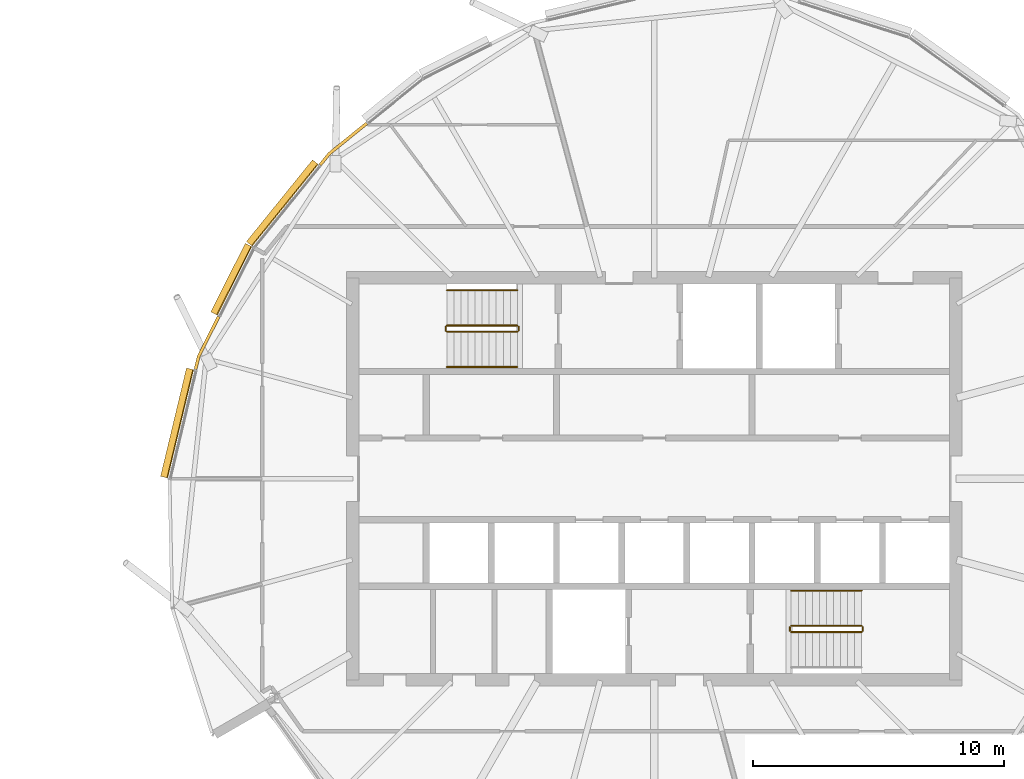
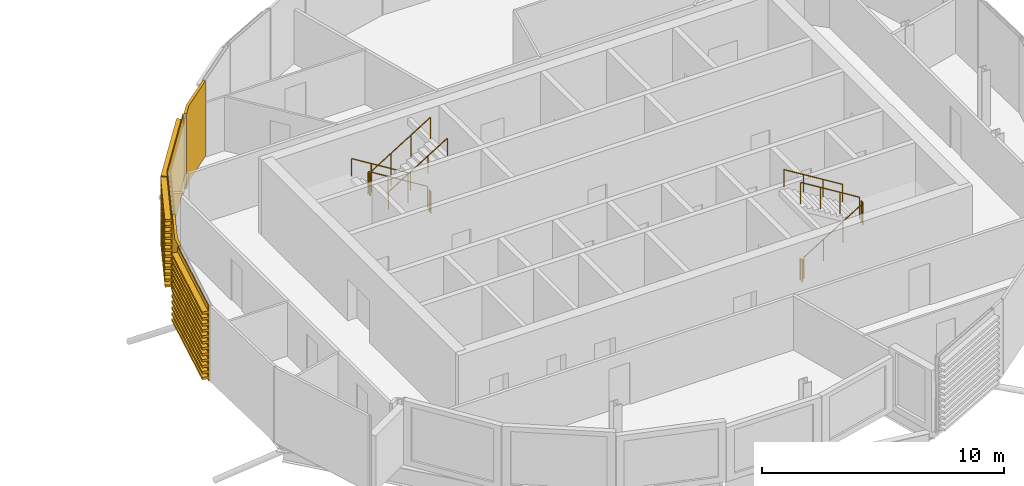
# One storey, part 32 of 33: 11 railings, 5 coverings.
"""IFC4 building model written with IfcOpenShell, lengths in metres."""

import ifcopenshell
import ifcopenshell.guid

model = None  # the IFC model being written
_history = None  # IfcOwnerHistory: only IFC2X3 demands one
_inside = {}  # id of a spatial element -> (the spatial element, [elements in it])
_under = {}  # id of a project, library or spatial element -> (it, [spatial elements below it])
_declared = {}  # id of a project -> (the project, [libraries it declares])
_typed = {}  # id of a type object -> (the type object, [elements of that type])
_made_of = {}  # id of a material, layer set ... -> (it, [elements and type objects made of it])


def new_model(schema):
    """Start an empty IFC model of exactly this schema.

    Asked for "IFC4X3", IfcOpenShell would pick the latest addendum, in which some entities
    have other attributes; the version numbers below select the first issue.
    IFC2X3 requires an IfcOwnerHistory on every rooted entity: one is made here for all.
    """
    global model, _history
    if schema == "IFC4X3":
        model = ifcopenshell.file(schema_version=(4, 3, 0, 0))
    else:
        model = ifcopenshell.file(schema=schema)
    _inside.clear()
    _under.clear()
    _declared.clear()
    _typed.clear()
    _made_of.clear()
    _history = None
    if model.schema == "IFC2X3":
        org = make("IfcOrganization", Name="unknown")
        user = make(
            "IfcPersonAndOrganization",
            ThePerson=make("IfcPerson", FamilyName="unknown"),
            TheOrganization=org,
        )
        app = make(
            "IfcApplication",
            ApplicationDeveloper=org,
            Version="unknown",
            ApplicationFullName="unknown",
            ApplicationIdentifier="unknown",
        )
        _history = make(
            "IfcOwnerHistory",
            OwningUser=user,
            OwningApplication=app,
            ChangeAction="ADDED",
            CreationDate=0,
        )
    return model


def make(cls, **values):
    """One entity of the class cls with the attributes given. An attribute that is None is left unset."""
    return model.create_entity(
        cls, **{name: value for name, value in values.items() if value is not None}
    )


def rooted(cls, **values):
    """An entity with a GlobalId (a new one), such as an element, a storey or a relation."""
    return make(cls, GlobalId=ifcopenshell.guid.new(), OwnerHistory=_history, **values)


def si_unit(unit_type, name, prefix=None):
    """IfcSIUnit, for example si_unit("LENGTHUNIT", "METRE", prefix="MILLI")."""
    return make("IfcSIUnit", UnitType=unit_type, Prefix=prefix, Name=name)


def assignment(units):
    """IfcUnitAssignment: the units of a project."""
    return None if units is None else make("IfcUnitAssignment", Units=units)


def point(xyz):
    """IfcCartesianPoint."""
    return None if xyz is None else make("IfcCartesianPoint", Coordinates=xyz)


def direction(xyz):
    """IfcDirection."""
    return None if xyz is None else make("IfcDirection", DirectionRatios=xyz)


def frame(location, z_axis=None, x_axis=None):
    """IfcAxis2Placement3D, a coordinate frame: its origin and axes. An axis left out is left unset."""
    return make(
        "IfcAxis2Placement3D",
        Location=point(location),
        Axis=direction(z_axis),
        RefDirection=direction(x_axis),
    )


def frame_2d(location, x_axis=None):
    """IfcAxis2Placement2D, a coordinate frame in the plane: its origin and x axis."""
    return make(
        "IfcAxis2Placement2D", Location=point(location), RefDirection=direction(x_axis)
    )


def origin():
    """The frame at (0, 0, 0) with its axes left unset."""
    return frame((0.0, 0.0, 0.0))


def origin_2d():
    """The frame at (0, 0) in the plane with its x axis left unset."""
    return frame_2d((0.0, 0.0))


def place(relative_to, where):
    """IfcLocalPlacement: puts the frame where relative to a parent placement (None: the world)."""
    return make(
        "IfcLocalPlacement", PlacementRelTo=relative_to, RelativePlacement=where
    )


def context(
    kind, dimensions, precision=None, world=None, true_north=None, identifier=None
):
    """IfcGeometricRepresentationContext, for example the 3D "Model" context."""
    return make(
        "IfcGeometricRepresentationContext",
        ContextIdentifier=identifier,
        ContextType=kind,
        CoordinateSpaceDimension=dimensions,
        Precision=precision,
        WorldCoordinateSystem=world,
        TrueNorth=true_north,
    )


def subcontext(parent, identifier, kind, view, scale=None):
    """IfcGeometricRepresentationSubContext, for example "Body" below "Model"."""
    return make(
        "IfcGeometricRepresentationSubContext",
        ContextIdentifier=identifier,
        ContextType=kind,
        ParentContext=parent,
        TargetScale=scale,
        TargetView=view,
    )


def project(units=None, contexts=None):
    """IfcProject with its units and contexts."""
    return rooted(
        "IfcProject",
        Name="project",
        RepresentationContexts=contexts,
        UnitsInContext=assignment(units),
    )


def spatial(cls, under=None, at=None, **own):
    """A site, building, storey or space (cls), placed at a placement, below another one or the project."""
    s = rooted(cls, ObjectPlacement=at, **own)
    if under is not None:
        _under.setdefault(under.id(), (under, []))[1].append(s)
    return s


def polyline(points):
    """IfcPolyline through the points."""
    return make("IfcPolyline", Points=[point(p) for p in points])


def profile(cls, at=None, kind="AREA", **sizes):
    """A parametric profile (cls). Its sizes go by their IFC names, for example OverallWidth=200.0."""
    return make(cls, ProfileType=kind, Position=at, **sizes)


def circle(**sizes):
    """IfcCircleProfileDef."""
    return profile("IfcCircleProfileDef", **sizes)


def outline(outer, holes=None, kind="AREA"):
    """IfcArbitraryClosedProfileDef: a profile drawn as a closed curve; with holes, ...WithVoids."""
    if holes is None:
        return make("IfcArbitraryClosedProfileDef", ProfileType=kind, OuterCurve=outer)
    return make(
        "IfcArbitraryProfileDefWithVoids",
        ProfileType=kind,
        OuterCurve=outer,
        InnerCurves=holes,
    )


def extrude(swept, where, along, depth):
    """IfcExtrudedAreaSolid: the profile swept, set in the frame where, extruded along a direction by depth."""
    return make(
        "IfcExtrudedAreaSolid",
        SweptArea=swept,
        Position=where,
        ExtrudedDirection=direction(along),
        Depth=depth,
    )


def shape(context_of_items, identifier, shape_type, items):
    """IfcShapeRepresentation: the items that make up one representation, for example the "Body"."""
    return make(
        "IfcShapeRepresentation",
        ContextOfItems=context_of_items,
        RepresentationIdentifier=identifier,
        RepresentationType=shape_type,
        Items=items,
    )


def material(Name=None, Category=None):
    """IfcMaterial."""
    return make("IfcMaterial", Name=Name, Category=Category)


def layer(
    of_material, thickness, ventilated=None, Name=None, Category=None, Priority=None
):
    """IfcMaterialLayer: one layer of a wall or slab, of a material (None: an air gap)."""
    return make(
        "IfcMaterialLayer",
        Material=of_material,
        LayerThickness=thickness,
        IsVentilated=ventilated,
        Name=Name,
        Category=Category,
        Priority=Priority,
    )


def layer_set(layers, Name=None):
    """IfcMaterialLayerSet."""
    return make("IfcMaterialLayerSet", MaterialLayers=layers, LayerSetName=Name)


def material_profile(
    of_material, cross_section, Name=None, Category=None, Priority=None
):
    """IfcMaterialProfile: a cross section and its material."""
    return make(
        "IfcMaterialProfile",
        Name=Name,
        Material=of_material,
        Profile=cross_section,
        Priority=Priority,
        Category=Category,
    )


def profile_set(profiles, Name=None, composite=None):
    """IfcMaterialProfileSet."""
    return make(
        "IfcMaterialProfileSet",
        Name=Name,
        MaterialProfiles=profiles,
        CompositeProfile=composite,
    )


def made_of(thing, what):
    """Note that an element or type object is made of a material, layer set ...; save() writes the relation."""
    if what is not None:
        _made_of.setdefault(what.id(), (what, []))[1].append(thing)
    return thing


def type_object(cls, material=None, **own):
    """A type object (cls), such as IfcWallType, which elements share."""
    return made_of(rooted(cls, **own), material)


def element(
    cls,
    number,
    at=None,
    inside=None,
    cuts=None,
    type_object=None,
    material=None,
    context=None,
    identifier="Body",
    shape_type=None,
    held_by="IfcProductDefinitionShape",
    body=None,
    shapes=None,
    **own,
):
    """One element of the class cls, such as IfcWall. Its Tag is "e" and its number.

    at: its placement. inside: the storey or other place that contains it. cuts: it is an
    opening in that element (IfcRelVoidsElement). A single representation is given by context,
    identifier, shape_type and body (its items); several are given by shapes. held_by: the class
    of the entity that holds the representations. save() writes the other relations.
    """
    e = rooted(cls, Tag="e%d" % number, ObjectPlacement=at, **own)
    if body is not None:
        shapes = [shape(context, identifier, shape_type, body)]
    if shapes is not None:
        e.Representation = make(held_by, Representations=shapes)
    if inside is not None:
        _inside.setdefault(inside.id(), (inside, []))[1].append(e)
    if cuts is not None:
        rooted(
            "IfcRelVoidsElement", RelatingBuildingElement=cuts, RelatedOpeningElement=e
        )
    if type_object is not None:
        _typed.setdefault(type_object.id(), (type_object, []))[1].append(e)
    return made_of(e, material)


def aggregate(whole, parts):
    """IfcRelAggregates: a whole, such as a stair, and the parts it consists of."""
    return rooted("IfcRelAggregates", RelatingObject=whole, RelatedObjects=parts)


def save(model, path):
    """Write the relations noted so far, then the file.

    IfcRelAggregates (storeys below a building ...), IfcRelContainedInSpatialStructure (elements
    in a storey), IfcRelDefinesByType, IfcRelAssociatesMaterial and IfcRelDeclares: one each for
    every whole, place, type object, material and project.
    """
    for whole, parts in _under.values():
        aggregate(whole, parts)
    for where, things in _inside.values():
        rooted(
            "IfcRelContainedInSpatialStructure",
            RelatedElements=things,
            RelatingStructure=where,
        )
    for kind, things in _typed.values():
        rooted("IfcRelDefinesByType", RelatedObjects=things, RelatingType=kind)
    for what, things in _made_of.values():
        rooted("IfcRelAssociatesMaterial", RelatedObjects=things, RelatingMaterial=what)
    for by, libraries in _declared.values():
        rooted("IfcRelDeclares", RelatingContext=by, RelatedDefinitions=libraries)
    model.write(path)


model = new_model("IFC4")

# Units and contexts
model_context = context("Model", 3, precision=1e-05, world=origin(), true_north=direction((0.0, 1.0)))
body_context = subcontext(model_context, "Body", "Model", "MODEL_VIEW")
ifc_project = project(units=[si_unit("LENGTHUNIT", "METRE"), si_unit("AREAUNIT", "SQUARE_METRE"), si_unit("VOLUMEUNIT", "CUBIC_METRE"), si_unit("PLANEANGLEUNIT", "RADIAN"), si_unit("MASSUNIT", "GRAM", prefix="KILO")], contexts=[model_context])

# Site, building, storey
site_placement = place(None, origin())
site = spatial("IfcSite", under=ifc_project, at=site_placement, CompositionType="ELEMENT")
building_placement = place(site_placement, origin())
building = spatial("IfcBuilding", under=site, at=building_placement, Name="Rimbun Link Towers", CompositionType="ELEMENT")
storey_placement = place(building_placement, frame((0.0, 0.0, 240.89990234375)))
storey = spatial("IfcBuildingStorey", under=building, at=storey_placement, Name="L59", CompositionType="ELEMENT", Elevation=240.89990234375)

# Coverings
ifc_material_1 = material(Name="Terracotta", Category="masonry")
ifc_layer = layer(ifc_material_1, 0.1201171875)
ifc_layer_set = layer_set([ifc_layer], Name="LINK PIER terracotta cladding 120")
covering_type_1 = type_object("IfcCoveringType", Name="LINK PIER terracotta cladding 120", PredefinedType="CLADDING", material=ifc_layer_set)
covering_1_placement = place(storey_placement, origin())
element("IfcCovering", 1, at=covering_1_placement, inside=storey, type_object=covering_type_1, Name="LINK PIER cladding", PredefinedType="CLADDING", context=body_context, shape_type="SweptSolid", body=[
    extrude(outline(polyline([(18.49609375, 12.452392578125), (18.8544921875, 12.8955078125), (20.346923828125, 14.103271484375), (20.271484375, 14.196533203125), (18.769287109375, 12.980712890625), (18.40283203125, 12.52783203125), (18.49609375, 12.452392578125)])), origin(), (0.0, 0.0, 1.0), 3.800048828125),
])
covering_2_placement = place(storey_placement, origin())
element("IfcCovering", 2, at=covering_2_placement, inside=storey, type_object=covering_type_1, Name="LINK PIER cladding", PredefinedType="CLADDING", context=body_context, shape_type="SweptSolid", body=[
    extrude(outline(polyline([(13.54931640625, 4.338623046875), (13.67041015625, 4.844482421875), (14.464599609375, 6.42626953125), (14.357421875, 6.47998046875), (13.556884765625, 4.8857421875), (13.4326171875, 4.366455078125), (13.54931640625, 4.338623046875)])), origin(), (0.0, 0.0, 1.0), 3.800048828125),
])

# Railings
ifc_material_2 = material(Name="Stainless steel grade 316", Category="steel")
railing_type_1 = type_object("IfcRailingType", Name="Stair guard", PredefinedType="GUARDRAIL", material=ifc_material_2)
railing_1_placement = place(storey_placement, frame((26.300048828125, 6.10009765625, 0.1728515625)))
element("IfcRailing", 3, at=railing_1_placement, inside=storey, type_object=railing_type_1, Name="L59 ST3 stair guard 1", PredefinedType="GUARDRAIL", context=body_context, shape_type="SweptSolid", body=[
    extrude(circle(Radius=0.02392578125, at=origin_2d()), frame((0.0, 0.0, 1.076171875), z_axis=(-0.851089632645, 0.0, 0.525020415988), x_axis=(0.0, -1.0, 0.0)), (0.0, 0.0, 1.0), 3.2900390625),
    extrude(circle(Radius=0.02099609375, at=origin_2d()), origin(), (0.0, 0.0, 1.0), 1.052001953125),
    extrude(circle(Radius=0.02099609375, at=origin_2d()), frame((-0.933349609375, 0.0, 0.57568359375)), (0.0, 0.0, 1.0), 1.052001953125),
    extrude(circle(Radius=0.02099609375, at=origin_2d()), frame((-1.86669921875, 0.0, 1.151611328125)), (0.0, 0.0, 1.0), 1.052001953125),
    extrude(circle(Radius=0.02099609375, at=origin_2d()), frame((-2.800048828125, 0.0, 1.727294921875)), (0.0, 0.0, 1.0), 1.052001953125),
])
railing_2_placement = place(storey_placement, frame((23.449951171875, 6.050048828125, 1.900146484375)))
element("IfcRailing", 4, at=railing_2_placement, inside=storey, type_object=railing_type_1, Name="L59 ST3 stair guard 2", PredefinedType="GUARDRAIL", context=body_context, shape_type="SweptSolid", body=[
    extrude(circle(Radius=0.02392578125, at=origin_2d()), frame((0.0, 0.0, 1.076171875), z_axis=(0.0, -1.0, 0.0), x_axis=(1.0, 0.0, 0.0)), (0.0, 0.0, 1.0), 0.150146484375),
    extrude(circle(Radius=0.02099609375, at=origin_2d()), origin(), (0.0, 0.0, 1.0), 1.052001953125),
    extrude(circle(Radius=0.02099609375, at=origin_2d()), frame((0.0, -0.150146484375, 0.0)), (0.0, 0.0, 1.0), 1.052001953125),
])
railing_3_placement = place(storey_placement, frame((23.5, 5.85009765625, 2.07275390625)))
element("IfcRailing", 5, at=railing_3_placement, inside=storey, type_object=railing_type_1, Name="L59 ST3 stair guard 3", PredefinedType="GUARDRAIL", context=body_context, shape_type="SweptSolid", body=[
    extrude(circle(Radius=0.02392578125, at=origin_2d()), frame((0.0, 0.0, 1.076171875), z_axis=(0.851089632645, 0.0, 0.525020415988), x_axis=(0.0, 1.0, 0.0)), (0.0, 0.0, 1.0), 3.2900390625),
    extrude(circle(Radius=0.02099609375, at=origin_2d()), origin(), (0.0, 0.0, 1.0), 1.052001953125),
    extrude(circle(Radius=0.02099609375, at=origin_2d()), frame((0.933349609375, 0.0, 0.57568359375)), (0.0, 0.0, 1.0), 1.052001953125),
    extrude(circle(Radius=0.02099609375, at=origin_2d()), frame((1.86669921875, 0.0, 1.151611328125)), (0.0, 0.0, 1.0), 1.052001953125),
    extrude(circle(Radius=0.02099609375, at=origin_2d()), frame((2.800048828125, 0.0, 1.727294921875)), (0.0, 0.0, 1.0), 1.052001953125),
])
railing_4_placement = place(storey_placement, frame((26.35009765625, 6.050048828125, 0.0)))
element("IfcRailing", 6, at=railing_4_placement, inside=storey, type_object=railing_type_1, Name="L59 ST3 stair guard 4", PredefinedType="GUARDRAIL", context=body_context, shape_type="SweptSolid", body=[
    extrude(circle(Radius=0.02392578125, at=origin_2d()), frame((0.0, 0.0, 1.076171875), z_axis=(0.0, -1.0, 0.0), x_axis=(1.0, 0.0, 0.0)), (0.0, 0.0, 1.0), 0.150146484375),
    extrude(circle(Radius=0.02099609375, at=origin_2d()), origin(), (0.0, 0.0, 1.0), 1.052001953125),
    extrude(circle(Radius=0.02099609375, at=origin_2d()), frame((0.0, -0.150146484375, 0.0)), (0.0, 0.0, 1.0), 1.052001953125),
])
railing_5_placement = place(storey_placement, frame((37.199951171875, -6.10009765625, 0.1728515625)))
element("IfcRailing", 7, at=railing_5_placement, inside=storey, type_object=railing_type_1, Name="L59 ST4 stair guard 1", PredefinedType="GUARDRAIL", context=body_context, shape_type="SweptSolid", body=[
    extrude(circle(Radius=0.02392578125, at=origin_2d()), frame((0.0, 0.0, 1.076171875), z_axis=(0.851089632645, 0.0, 0.525020415988), x_axis=(0.0, 1.0, 0.0)), (0.0, 0.0, 1.0), 3.2900390625),
    extrude(circle(Radius=0.02099609375, at=origin_2d()), origin(), (0.0, 0.0, 1.0), 1.052001953125),
    extrude(circle(Radius=0.02099609375, at=origin_2d()), frame((0.933349609375, 0.0, 0.57568359375)), (0.0, 0.0, 1.0), 1.052001953125),
    extrude(circle(Radius=0.02099609375, at=origin_2d()), frame((1.86669921875, 0.0, 1.151611328125)), (0.0, 0.0, 1.0), 1.052001953125),
    extrude(circle(Radius=0.02099609375, at=origin_2d()), frame((2.800048828125, 0.0, 1.727294921875)), (0.0, 0.0, 1.0), 1.052001953125),
])
railing_6_placement = place(storey_placement, frame((40.050048828125, -6.050048828125, 1.900146484375)))
element("IfcRailing", 8, at=railing_6_placement, inside=storey, type_object=railing_type_1, Name="L59 ST4 stair guard 2", PredefinedType="GUARDRAIL", context=body_context, shape_type="SweptSolid", body=[
    extrude(circle(Radius=0.02392578125, at=origin_2d()), frame((0.0, 0.0, 1.076171875), z_axis=(0.0, 1.0, 0.0), x_axis=(-1.0, 0.0, 0.0)), (0.0, 0.0, 1.0), 0.150146484375),
    extrude(circle(Radius=0.02099609375, at=origin_2d()), origin(), (0.0, 0.0, 1.0), 1.052001953125),
    extrude(circle(Radius=0.02099609375, at=origin_2d()), frame((0.0, 0.150146484375, 0.0)), (0.0, 0.0, 1.0), 1.052001953125),
])
railing_7_placement = place(storey_placement, frame((40.0, -5.85009765625, 2.07275390625)))
element("IfcRailing", 9, at=railing_7_placement, inside=storey, type_object=railing_type_1, Name="L59 ST4 stair guard 3", PredefinedType="GUARDRAIL", context=body_context, shape_type="SweptSolid", body=[
    extrude(circle(Radius=0.02392578125, at=origin_2d()), frame((0.0, 0.0, 1.076171875), z_axis=(-0.851089632645, 0.0, 0.525020415988), x_axis=(0.0, -1.0, 0.0)), (0.0, 0.0, 1.0), 3.2900390625),
    extrude(circle(Radius=0.02099609375, at=origin_2d()), origin(), (0.0, 0.0, 1.0), 1.052001953125),
    extrude(circle(Radius=0.02099609375, at=origin_2d()), frame((-0.933349609375, 0.0, 0.57568359375)), (0.0, 0.0, 1.0), 1.052001953125),
    extrude(circle(Radius=0.02099609375, at=origin_2d()), frame((-1.86669921875, 0.0, 1.151611328125)), (0.0, 0.0, 1.0), 1.052001953125),
    extrude(circle(Radius=0.02099609375, at=origin_2d()), frame((-2.800048828125, 0.0, 1.727294921875)), (0.0, 0.0, 1.0), 1.052001953125),
])
railing_8_placement = place(storey_placement, frame((37.14990234375, -6.050048828125, 0.0)))
element("IfcRailing", 10, at=railing_8_placement, inside=storey, type_object=railing_type_1, Name="L59 ST4 stair guard 4", PredefinedType="GUARDRAIL", context=body_context, shape_type="SweptSolid", body=[
    extrude(circle(Radius=0.02392578125, at=origin_2d()), frame((0.0, 0.0, 1.076171875), z_axis=(0.0, 1.0, 0.0), x_axis=(-1.0, 0.0, 0.0)), (0.0, 0.0, 1.0), 0.150146484375),
    extrude(circle(Radius=0.02099609375, at=origin_2d()), origin(), (0.0, 0.0, 1.0), 1.052001953125),
    extrude(circle(Radius=0.02099609375, at=origin_2d()), frame((0.0, 0.150146484375, 0.0)), (0.0, 0.0, 1.0), 1.052001953125),
])
ifc_material_3 = material(Name="Stainless steel grade 316", Category="steel")
railing_type_2 = type_object("IfcRailingType", Name="Stair handrail", PredefinedType="HANDRAIL", material=ifc_material_3)
railing_9_placement = place(storey_placement, frame((26.300048828125, 7.5, 0.1728515625)))
element("IfcRailing", 11, at=railing_9_placement, inside=storey, type_object=railing_type_2, Name="L59 ST3 stair handrail 1", PredefinedType="HANDRAIL", context=body_context, shape_type="SweptSolid", body=[
    extrude(circle(Radius=0.02392578125, at=origin_2d()), frame((0.0, 0.0, 0.8759765625), z_axis=(-0.851089632645, 0.0, 0.525020415988), x_axis=(0.0, -1.0, 0.0)), (0.0, 0.0, 1.0), 3.2900390625),
    extrude(circle(Radius=0.02099609375, at=origin_2d()), origin(), (0.0, 0.0, 1.0), 0.851806640625),
    extrude(circle(Radius=0.02099609375, at=origin_2d()), frame((-0.933349609375, 0.0, 0.57568359375)), (0.0, 0.0, 1.0), 0.851806640625),
    extrude(circle(Radius=0.02099609375, at=origin_2d()), frame((-1.86669921875, 0.0, 1.151611328125)), (0.0, 0.0, 1.0), 0.851806640625),
    extrude(circle(Radius=0.02099609375, at=origin_2d()), frame((-2.800048828125, 0.0, 1.727294921875)), (0.0, 0.0, 1.0), 0.851806640625),
])
railing_10_placement = place(storey_placement, frame((23.5, 4.449951171875, 2.07275390625)))
element("IfcRailing", 12, at=railing_10_placement, inside=storey, type_object=railing_type_2, Name="L59 ST3 stair handrail 2", PredefinedType="HANDRAIL", context=body_context, shape_type="SweptSolid", body=[
    extrude(circle(Radius=0.02392578125, at=origin_2d()), frame((0.0, 0.0, 0.8759765625), z_axis=(0.851089632645, 0.0, 0.525020415988), x_axis=(0.0, 1.0, 0.0)), (0.0, 0.0, 1.0), 3.2900390625),
    extrude(circle(Radius=0.02099609375, at=origin_2d()), origin(), (0.0, 0.0, 1.0), 0.851806640625),
    extrude(circle(Radius=0.02099609375, at=origin_2d()), frame((0.933349609375, 0.0, 0.57568359375)), (0.0, 0.0, 1.0), 0.851806640625),
    extrude(circle(Radius=0.02099609375, at=origin_2d()), frame((1.86669921875, 0.0, 1.151611328125)), (0.0, 0.0, 1.0), 0.851806640625),
    extrude(circle(Radius=0.02099609375, at=origin_2d()), frame((2.800048828125, 0.0, 1.727294921875)), (0.0, 0.0, 1.0), 0.851806640625),
])
railing_11_placement = place(storey_placement, frame((40.0, -4.449951171875, 2.07275390625)))
element("IfcRailing", 13, at=railing_11_placement, inside=storey, type_object=railing_type_2, Name="L59 ST4 stair handrail 2", PredefinedType="HANDRAIL", context=body_context, shape_type="SweptSolid", body=[
    extrude(circle(Radius=0.02392578125, at=origin_2d()), frame((0.0, 0.0, 0.8759765625), z_axis=(-0.851089632645, 0.0, 0.525020415988), x_axis=(0.0, -1.0, 0.0)), (0.0, 0.0, 1.0), 3.2900390625),
    extrude(circle(Radius=0.02099609375, at=origin_2d()), origin(), (0.0, 0.0, 1.0), 0.851806640625),
    extrude(circle(Radius=0.02099609375, at=origin_2d()), frame((-0.933349609375, 0.0, 0.57568359375)), (0.0, 0.0, 1.0), 0.851806640625),
    extrude(circle(Radius=0.02099609375, at=origin_2d()), frame((-1.86669921875, 0.0, 1.151611328125)), (0.0, 0.0, 1.0), 0.851806640625),
    extrude(circle(Radius=0.02099609375, at=origin_2d()), frame((-2.800048828125, 0.0, 1.727294921875)), (0.0, 0.0, 1.0), 0.851806640625),
])

# Coverings
ifc_material_4 = material(Name="Terracotta", Category="masonry")
ifc_material_profile = material_profile(ifc_material_4, outline(polyline([(0.123046875, 0.0), (0.1630859375, 0.0), (0.1630859375, 0.10009765625), (0.423095703125, 0.10009765625), (0.423095703125, 0.219970703125), (0.1630859375, 0.219970703125), (0.1630859375, 0.39990234375), (0.423095703125, 0.39990234375), (0.423095703125, 0.52001953125), (0.1630859375, 0.52001953125), (0.1630859375, 0.699951171875), (0.423095703125, 0.699951171875), (0.423095703125, 0.820068359375), (0.1630859375, 0.820068359375), (0.1630859375, 1.0), (0.423095703125, 1.0), (0.423095703125, 1.1201171875), (0.1630859375, 1.1201171875), (0.1630859375, 1.300048828125), (0.423095703125, 1.300048828125), (0.423095703125, 1.419921875), (0.1630859375, 1.419921875), (0.1630859375, 1.60009765625), (0.423095703125, 1.60009765625), (0.423095703125, 1.719970703125), (0.1630859375, 1.719970703125), (0.1630859375, 1.89990234375), (0.423095703125, 1.89990234375), (0.423095703125, 2.02001953125), (0.1630859375, 2.02001953125), (0.1630859375, 2.199951171875), (0.423095703125, 2.199951171875), (0.423095703125, 2.320068359375), (0.1630859375, 2.320068359375), (0.1630859375, 2.5), (0.423095703125, 2.5), (0.423095703125, 2.6201171875), (0.1630859375, 2.6201171875), (0.1630859375, 2.800048828125), (0.423095703125, 2.800048828125), (0.423095703125, 2.919921875), (0.1630859375, 2.919921875), (0.1630859375, 3.10009765625), (0.423095703125, 3.10009765625), (0.423095703125, 3.219970703125), (0.1630859375, 3.219970703125), (0.1630859375, 3.39990234375), (0.423095703125, 3.39990234375), (0.423095703125, 3.52001953125), (0.1630859375, 3.52001953125), (0.1630859375, 3.800048828125), (0.123046875, 3.800048828125), (0.123046875, 0.0)])), Name="BAGUETTE 120X300")
ifc_profile_set = profile_set([ifc_material_profile], Name="Terracotta")
covering_type_2 = type_object("IfcCoveringType", Name="TERRACOTTA BAGUETTE 120X300 H3800", PredefinedType="CLADDING", material=ifc_profile_set)
covering_3_placement = place(storey_placement, frame((15.84814453125, 9.180908203125, 0.0), z_axis=(0.629130996415, 0.777299292004, 0.0), x_axis=(-0.777299292004, 0.629130996415, 0.0)))
element("IfcCovering", 14, at=covering_3_placement, inside=storey, type_object=covering_type_2, Name="TERRACOTTA BAGUETTE", PredefinedType="CLADDING", context=body_context, shape_type="SweptSolid", body=[
    extrude(outline(polyline([(0.123046875, 0.0), (0.1630859375, 0.0), (0.1630859375, 0.10009765625), (0.423095703125, 0.10009765625), (0.423095703125, 0.219970703125), (0.1630859375, 0.219970703125), (0.1630859375, 0.39990234375), (0.423095703125, 0.39990234375), (0.423095703125, 0.52001953125), (0.1630859375, 0.52001953125), (0.1630859375, 0.699951171875), (0.423095703125, 0.699951171875), (0.423095703125, 0.820068359375), (0.1630859375, 0.820068359375), (0.1630859375, 1.0), (0.423095703125, 1.0), (0.423095703125, 1.1201171875), (0.1630859375, 1.1201171875), (0.1630859375, 1.300048828125), (0.423095703125, 1.300048828125), (0.423095703125, 1.419921875), (0.1630859375, 1.419921875), (0.1630859375, 1.60009765625), (0.423095703125, 1.60009765625), (0.423095703125, 1.719970703125), (0.1630859375, 1.719970703125), (0.1630859375, 1.89990234375), (0.423095703125, 1.89990234375), (0.423095703125, 2.02001953125), (0.1630859375, 2.02001953125), (0.1630859375, 2.199951171875), (0.423095703125, 2.199951171875), (0.423095703125, 2.320068359375), (0.1630859375, 2.320068359375), (0.1630859375, 2.5), (0.423095703125, 2.5), (0.423095703125, 2.6201171875), (0.1630859375, 2.6201171875), (0.1630859375, 2.800048828125), (0.423095703125, 2.800048828125), (0.423095703125, 2.919921875), (0.1630859375, 2.919921875), (0.1630859375, 3.10009765625), (0.423095703125, 3.10009765625), (0.423095703125, 3.219970703125), (0.1630859375, 3.219970703125), (0.1630859375, 3.39990234375), (0.423095703125, 3.39990234375), (0.423095703125, 3.52001953125), (0.1630859375, 3.52001953125), (0.1630859375, 3.800048828125), (0.123046875, 3.800048828125), (0.123046875, 0.0)])), origin(), (0.0, 0.0, 1.0), 4.1787109375),
])
covering_4_placement = place(storey_placement, frame((14.47802734375, 6.452880859375, 0.0), z_axis=(0.448812354249, 0.893626023946, 0.0), x_axis=(-0.893626023946, 0.448812354249, 0.0)))
element("IfcCovering", 15, at=covering_4_placement, inside=storey, type_object=covering_type_2, Name="TERRACOTTA BAGUETTE", PredefinedType="CLADDING", context=body_context, shape_type="SweptSolid", body=[
    extrude(outline(polyline([(0.123046875, 0.0), (0.1630859375, 0.0), (0.1630859375, 0.10009765625), (0.423095703125, 0.10009765625), (0.423095703125, 0.219970703125), (0.1630859375, 0.219970703125), (0.1630859375, 0.39990234375), (0.423095703125, 0.39990234375), (0.423095703125, 0.52001953125), (0.1630859375, 0.52001953125), (0.1630859375, 0.699951171875), (0.423095703125, 0.699951171875), (0.423095703125, 0.820068359375), (0.1630859375, 0.820068359375), (0.1630859375, 1.0), (0.423095703125, 1.0), (0.423095703125, 1.1201171875), (0.1630859375, 1.1201171875), (0.1630859375, 1.300048828125), (0.423095703125, 1.300048828125), (0.423095703125, 1.419921875), (0.1630859375, 1.419921875), (0.1630859375, 1.60009765625), (0.423095703125, 1.60009765625), (0.423095703125, 1.719970703125), (0.1630859375, 1.719970703125), (0.1630859375, 1.89990234375), (0.423095703125, 1.89990234375), (0.423095703125, 2.02001953125), (0.1630859375, 2.02001953125), (0.1630859375, 2.199951171875), (0.423095703125, 2.199951171875), (0.423095703125, 2.320068359375), (0.1630859375, 2.320068359375), (0.1630859375, 2.5), (0.423095703125, 2.5), (0.423095703125, 2.6201171875), (0.1630859375, 2.6201171875), (0.1630859375, 2.800048828125), (0.423095703125, 2.800048828125), (0.423095703125, 2.919921875), (0.1630859375, 2.919921875), (0.1630859375, 3.10009765625), (0.423095703125, 3.10009765625), (0.423095703125, 3.219970703125), (0.1630859375, 3.219970703125), (0.1630859375, 3.39990234375), (0.423095703125, 3.39990234375), (0.423095703125, 3.52001953125), (0.1630859375, 3.52001953125), (0.1630859375, 3.800048828125), (0.123046875, 3.800048828125), (0.123046875, 0.0)])), origin(), (0.0, 0.0, 1.0), 3.052734375),
])
covering_5_placement = place(storey_placement, frame((12.51171875, 0.0, 0.0), z_axis=(0.232618531719, 0.972568053506, 0.0), x_axis=(-0.972568053506, 0.232618531719, 0.0)))
element("IfcCovering", 16, at=covering_5_placement, inside=storey, type_object=covering_type_2, Name="TERRACOTTA BAGUETTE", PredefinedType="CLADDING", context=body_context, shape_type="SweptSolid", body=[
    extrude(outline(polyline([(0.123046875, 0.0), (0.1630859375, 0.0), (0.1630859375, 0.10009765625), (0.423095703125, 0.10009765625), (0.423095703125, 0.219970703125), (0.1630859375, 0.219970703125), (0.1630859375, 0.39990234375), (0.423095703125, 0.39990234375), (0.423095703125, 0.52001953125), (0.1630859375, 0.52001953125), (0.1630859375, 0.699951171875), (0.423095703125, 0.699951171875), (0.423095703125, 0.820068359375), (0.1630859375, 0.820068359375), (0.1630859375, 1.0), (0.423095703125, 1.0), (0.423095703125, 1.1201171875), (0.1630859375, 1.1201171875), (0.1630859375, 1.300048828125), (0.423095703125, 1.300048828125), (0.423095703125, 1.419921875), (0.1630859375, 1.419921875), (0.1630859375, 1.60009765625), (0.423095703125, 1.60009765625), (0.423095703125, 1.719970703125), (0.1630859375, 1.719970703125), (0.1630859375, 1.89990234375), (0.423095703125, 1.89990234375), (0.423095703125, 2.02001953125), (0.1630859375, 2.02001953125), (0.1630859375, 2.199951171875), (0.423095703125, 2.199951171875), (0.423095703125, 2.320068359375), (0.1630859375, 2.320068359375), (0.1630859375, 2.5), (0.423095703125, 2.5), (0.423095703125, 2.6201171875), (0.1630859375, 2.6201171875), (0.1630859375, 2.800048828125), (0.423095703125, 2.800048828125), (0.423095703125, 2.919921875), (0.1630859375, 2.919921875), (0.1630859375, 3.10009765625), (0.423095703125, 3.10009765625), (0.423095703125, 3.219970703125), (0.1630859375, 3.219970703125), (0.1630859375, 3.39990234375), (0.423095703125, 3.39990234375), (0.423095703125, 3.52001953125), (0.1630859375, 3.52001953125), (0.1630859375, 3.800048828125), (0.123046875, 3.800048828125), (0.123046875, 0.0)])), origin(), (0.0, 0.0, 1.0), 4.43115234375),
])

save(model, "model.ifc")
